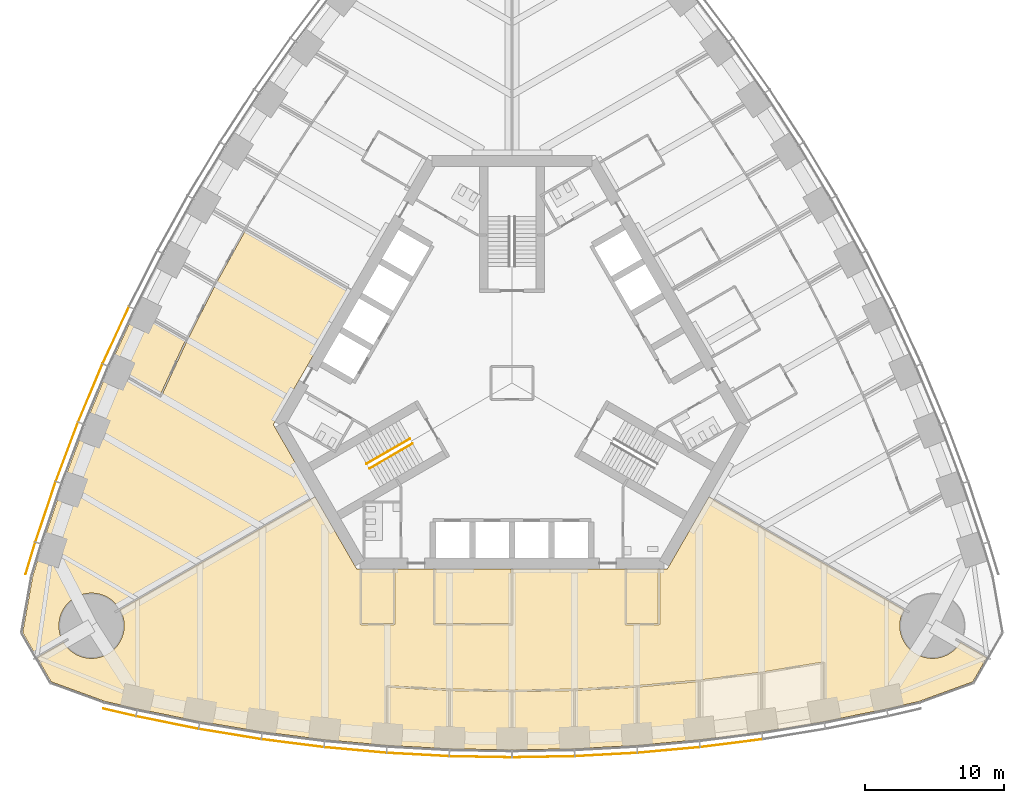
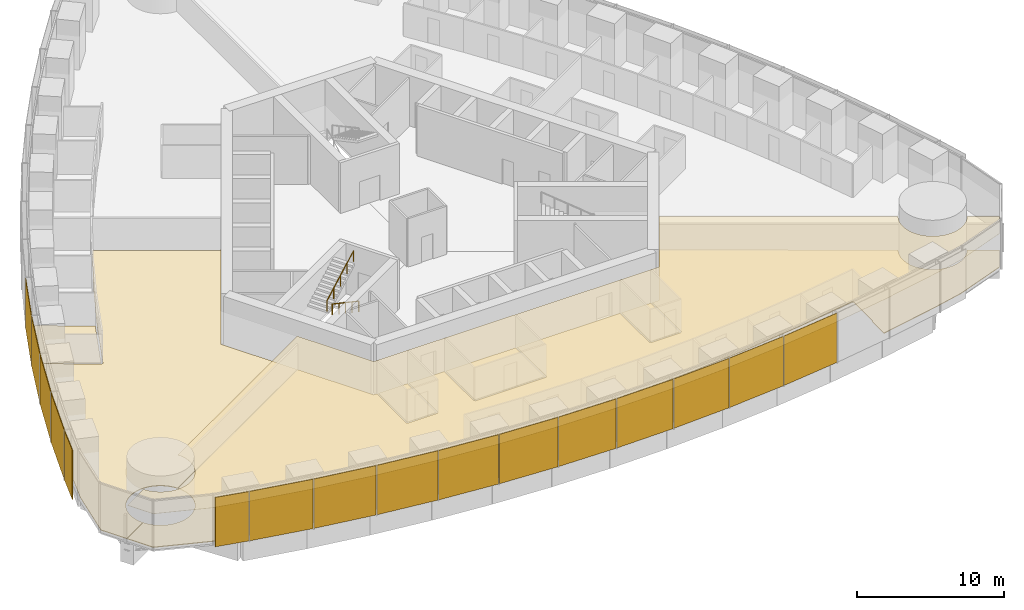
# One storey, part 15 of 19: 16 shading devices, 12 coverings, 2 railings.
"""IFC4 building model written with IfcOpenShell, lengths in metres."""

from ifc_helpers import new_model, si_unit, direction, frame, origin, origin_2d, place, context, subcontext, project, spatial, polyline, rectangle, circle, outline, extrude, material, layer, layer_set, type_object, element, save


model = new_model("IFC4")

# Units and contexts
model_context = context("Model", 3, precision=1e-05, world=origin(), true_north=direction((0.0, 1.0)))
body_context = subcontext(model_context, "Body", "Model", "MODEL_VIEW")
ifc_project = project(units=[si_unit("LENGTHUNIT", "METRE"), si_unit("AREAUNIT", "SQUARE_METRE"), si_unit("VOLUMEUNIT", "CUBIC_METRE"), si_unit("PLANEANGLEUNIT", "RADIAN"), si_unit("MASSUNIT", "GRAM", prefix="KILO")], contexts=[model_context])

# Site, building, storey
site_placement = place(None, origin())
site = spatial("IfcSite", under=ifc_project, at=site_placement, CompositionType="ELEMENT")
building_placement = place(site_placement, origin())
building = spatial("IfcBuilding", under=site, at=building_placement, Name="Trefoil Bronze Tower", CompositionType="ELEMENT")
storey_placement = place(building_placement, frame((0.0, 0.0, 107.300048828125)))
storey = spatial("IfcBuildingStorey", under=building, at=storey_placement, Name="L24", CompositionType="ELEMENT", Elevation=107.300048828125)

# Shading devices
ifc_material_1 = material(Name="Perforated bronze sheet", Category="bronze")
ifc_layer_1 = layer(ifc_material_1, 0.0400390625)
ifc_layer_set_1 = layer_set([ifc_layer_1], Name="Bronze solar screen panel")
shading_device_type = type_object("IfcShadingDeviceType", Name="Bronze solar screen panel", PredefinedType="SHUTTER", material=ifc_layer_set_1)
shading_device_1_placement = place(storey_placement, frame((-28.30078125, -23.748779296875, 0.0498046875), z_axis=(0.0, 0.0, 1.0), x_axis=(0.97420444715, -0.225667222151, 0.0)))
element("IfcShadingDevice", 1, at=shading_device_1_placement, inside=storey, type_object=shading_device_type, Name="Solar screen CW-A L24 F1 bay 1", PredefinedType="SHUTTER", context=body_context, shape_type="SweptSolid", body=[
    extrude(rectangle(XDim=2.39013671875, YDim=0.0400390625, at=origin_2d()), origin(), (0.0, 0.0, 1.0), 4.10009765625),
])
shading_device_2_placement = place(storey_placement, frame((-24.85693359375, -24.480224609375, 0.0498046875), z_axis=(0.0, 0.0, 1.0), x_axis=(0.980155155547, -0.198231861853, 0.0)))
element("IfcShadingDevice", 2, at=shading_device_2_placement, inside=storey, type_object=shading_device_type, Name="Solar screen CW-A L24 F1 bay 2", PredefinedType="SHUTTER", context=body_context, shape_type="SweptSolid", body=[
    extrude(rectangle(XDim=4.56103515625, YDim=0.0400390625, at=origin_2d()), origin(), (0.0, 0.0, 1.0), 4.10009765625),
])
shading_device_3_placement = place(storey_placement, frame((-20.337646484375, -25.30859375, 0.0498046875), z_axis=(0.0, 0.0, 1.0), x_axis=(0.986759655731, -0.162189339418, 0.0)))
element("IfcShadingDevice", 3, at=shading_device_3_placement, inside=storey, type_object=shading_device_type, Name="Solar screen CW-A L24 F1 bay 3", PredefinedType="SHUTTER", context=body_context, shape_type="SweptSolid", body=[
    extrude(rectangle(XDim=4.5302734375, YDim=0.0400390625, at=origin_2d()), origin(), (0.0, 0.0, 1.0), 4.10009765625),
])
shading_device_4_placement = place(storey_placement, frame((-15.818115234375, -25.96728515625, 0.0498046875), z_axis=(0.0, 0.0, 1.0), x_axis=(0.992011554286, -0.126147041833, 0.0)))
element("IfcShadingDevice", 4, at=shading_device_4_placement, inside=storey, type_object=shading_device_type, Name="Solar screen CW-A L24 F1 bay 4", PredefinedType="SHUTTER", context=body_context, shape_type="SweptSolid", body=[
    extrude(rectangle(XDim=4.50634765625, YDim=0.0400390625, at=origin_2d()), origin(), (0.0, 0.0, 1.0), 4.10009765625),
])
shading_device_5_placement = place(storey_placement, frame((-11.298583984375, -26.459228515625, 0.0498046875), z_axis=(0.0, 0.0, 1.0), x_axis=(0.995932279146, -0.090104913044, 0.0)))
element("IfcShadingDevice", 5, at=shading_device_5_placement, inside=storey, type_object=shading_device_type, Name="Solar screen CW-A L24 F1 bay 5", PredefinedType="SHUTTER", context=body_context, shape_type="SweptSolid", body=[
    extrude(rectangle(XDim=4.48828125, YDim=0.0400390625, at=origin_2d()), origin(), (0.0, 0.0, 1.0), 4.10009765625),
])
shading_device_6_placement = place(storey_placement, frame((-6.779296875, -26.785888671875, 0.0498046875), z_axis=(0.0, 0.0, 1.0), x_axis=(0.998537531923, -0.054062901701, 0.0)))
element("IfcShadingDevice", 6, at=shading_device_6_placement, inside=storey, type_object=shading_device_type, Name="Solar screen CW-A L24 F1 bay 6", PredefinedType="SHUTTER", context=body_context, shape_type="SweptSolid", body=[
    extrude(rectangle(XDim=4.4765625, YDim=0.0400390625, at=origin_2d()), origin(), (0.0, 0.0, 1.0), 4.10009765625),
])
for number, where, z_axis, x_axis, name in (
    (7, (-2.259765625, -26.948974609375, 0.0498046875), (0.0, 0.0, 1.0), (0.999837609322, -0.018020959612, 0.0), "Solar screen CW-A L24 F1 bay 7"),
    (8, (2.259765625, -26.948974609375, 0.0498046875), (0.0, 0.0, 1.0), (0.999837609322, 0.018020959612, 0.0), "Solar screen CW-A L24 F1 bay 8"),
):
    element("IfcShadingDevice", number, at=place(storey_placement, frame(where, z_axis=z_axis, x_axis=x_axis)), inside=storey, type_object=shading_device_type, Name=name, PredefinedType="SHUTTER", context=body_context, shape_type="SweptSolid", body=[
        extrude(rectangle(XDim=4.470703125, YDim=0.0400390625, at=origin_2d()), origin(), (0.0, 0.0, 1.0), 4.10009765625),
    ])
shading_device_7_placement = place(storey_placement, frame((6.779296875, -26.785888671875, 0.0498046875), z_axis=(0.0, 0.0, 1.0), x_axis=(0.998537531923, 0.054062901701, 0.0)))
element("IfcShadingDevice", 9, at=shading_device_7_placement, inside=storey, type_object=shading_device_type, Name="Solar screen CW-A L24 F1 bay 9", PredefinedType="SHUTTER", context=body_context, shape_type="SweptSolid", body=[
    extrude(rectangle(XDim=4.4765625, YDim=0.0400390625, at=origin_2d()), origin(), (0.0, 0.0, 1.0), 4.10009765625),
])
shading_device_8_placement = place(storey_placement, frame((11.298583984375, -26.459228515625, 0.0498046875), z_axis=(0.0, 0.0, 1.0), x_axis=(0.995932279146, 0.090104913044, 0.0)))
element("IfcShadingDevice", 10, at=shading_device_8_placement, inside=storey, type_object=shading_device_type, Name="Solar screen CW-A L24 F1 bay 10", PredefinedType="SHUTTER", context=body_context, shape_type="SweptSolid", body=[
    extrude(rectangle(XDim=4.48828125, YDim=0.0400390625, at=origin_2d()), origin(), (0.0, 0.0, 1.0), 4.10009765625),
])
shading_device_9_placement = place(storey_placement, frame((15.818115234375, -25.96728515625, 0.0498046875), z_axis=(0.0, 0.0, 1.0), x_axis=(0.992011554286, 0.126147041833, 0.0)))
element("IfcShadingDevice", 11, at=shading_device_9_placement, inside=storey, type_object=shading_device_type, Name="Solar screen CW-A L24 F1 bay 11", PredefinedType="SHUTTER", context=body_context, shape_type="SweptSolid", body=[
    extrude(rectangle(XDim=4.50634765625, YDim=0.0400390625, at=origin_2d()), origin(), (0.0, 0.0, 1.0), 4.10009765625),
])
shading_device_10_placement = place(storey_placement, frame((-28.563720703125, 3.444580078125, 0.0498046875), z_axis=(0.0, 0.0, 1.0), x_axis=(-0.419932995871, -0.907555110712, 0.0)))
element("IfcShadingDevice", 12, at=shading_device_10_placement, inside=storey, type_object=shading_device_type, Name="Solar screen CW-A L24 F3 bay 10", PredefinedType="SHUTTER", context=body_context, shape_type="SweptSolid", body=[
    extrude(rectangle(XDim=4.48828125, YDim=0.0400390625, at=origin_2d()), origin(), (0.0, 0.0, 1.0), 4.10009765625),
])
shading_device_11_placement = place(storey_placement, frame((-30.3974609375, -0.715087890625, 0.0498046875), z_axis=(0.0, 0.0, 1.0), x_axis=(-0.386759234303, -0.922180727776, 0.0)))
element("IfcShadingDevice", 13, at=shading_device_11_placement, inside=storey, type_object=shading_device_type, Name="Solar screen CW-A L24 F3 bay 11", PredefinedType="SHUTTER", context=body_context, shape_type="SweptSolid", body=[
    extrude(rectangle(XDim=4.50634765625, YDim=0.0400390625, at=origin_2d()), origin(), (0.0, 0.0, 1.0), 4.10009765625),
])
shading_device_12_placement = place(storey_placement, frame((-32.086669921875, -4.95849609375, 0.0498046875), z_axis=(0.0, 0.0, 1.0), x_axis=(-0.352919739707, -0.935653599002, 0.0)))
element("IfcShadingDevice", 14, at=shading_device_12_placement, inside=storey, type_object=shading_device_type, Name="Solar screen CW-A L24 F3 bay 12", PredefinedType="SHUTTER", context=body_context, shape_type="SweptSolid", body=[
    extrude(rectangle(XDim=4.5302734375, YDim=0.0400390625, at=origin_2d()), origin(), (0.0, 0.0, 1.0), 4.10009765625),
])
shading_device_13_placement = place(storey_placement, frame((-33.62890625, -9.286865234375, 0.0498046875), z_axis=(0.0, 0.0, 1.0), x_axis=(-0.318403749569, -0.947955195281, 0.0)))
element("IfcShadingDevice", 15, at=shading_device_13_placement, inside=storey, type_object=shading_device_type, Name="Solar screen CW-A L24 F3 bay 13", PredefinedType="SHUTTER", context=body_context, shape_type="SweptSolid", body=[
    extrude(rectangle(XDim=4.56103515625, YDim=0.0400390625, at=origin_2d()), origin(), (0.0, 0.0, 1.0), 4.10009765625),
])
shading_device_14_placement = place(storey_placement, frame((-34.717529296875, -12.634765625, 0.0498046875), z_axis=(0.0, 0.0, 1.0), x_axis=(-0.291668676391, -0.956519410787, 0.0)))
element("IfcShadingDevice", 16, at=shading_device_14_placement, inside=storey, type_object=shading_device_type, Name="Solar screen CW-A L24 F3 bay 14", PredefinedType="SHUTTER", context=body_context, shape_type="SweptSolid", body=[
    extrude(rectangle(XDim=2.39013671875, YDim=0.0400390625, at=origin_2d()), origin(), (0.0, 0.0, 1.0), 4.10009765625),
])

# Railings
ifc_material_2 = material(Name="Steel handrail", Category="steel")
railing_type = type_object("IfcRailingType", Name="Handrail 900", PredefinedType="HANDRAIL", material=ifc_material_2)
railing_1_placement = place(storey_placement, frame((-7.166015625, -4.3681640625, 0.161376953125)))
element("IfcRailing", 17, at=railing_1_placement, inside=storey, type_object=railing_type, Name="Handrail ST3 flight 1 L24", PredefinedType="HANDRAIL", context=body_context, shape_type="SweptSolid", body=[
    extrude(circle(Radius=0.02392578125, at=origin_2d()), frame((0.0, 0.0, 0.8759765625), z_axis=(-0.76250339821, -0.440245697338, 0.474101564745), x_axis=(0.500012057535, -0.866018442252, 0.0)), (0.0, 0.0, 1.0), 4.088623046875),
    extrude(circle(Radius=0.02099609375, at=origin_2d()), origin(), (0.0, 0.0, 1.0), 0.851806640625),
    extrude(circle(Radius=0.02099609375, at=origin_2d()), frame((-0.779296875, -0.449951171875, 0.484619140625)), (0.0, 0.0, 1.0), 0.851806640625),
    extrude(circle(Radius=0.02099609375, at=origin_2d()), frame((-1.558837890625, -0.89990234375, 0.96923828125)), (0.0, 0.0, 1.0), 0.851806640625),
    extrude(circle(Radius=0.02099609375, at=origin_2d()), frame((-2.33837890625, -1.35009765625, 1.453857421875)), (0.0, 0.0, 1.0), 0.851806640625),
    extrude(circle(Radius=0.02099609375, at=origin_2d()), frame((-3.11767578125, -1.800048828125, 1.9384765625)), (0.0, 0.0, 1.0), 0.851806640625),
])
railing_2_placement = place(storey_placement, frame((-10.483642578125, -5.82177734375, 2.261474609375)))
element("IfcRailing", 18, at=railing_2_placement, inside=storey, type_object=railing_type, Name="Handrail ST3 flight 2 L24", PredefinedType="HANDRAIL", context=body_context, shape_type="SweptSolid", body=[
    extrude(circle(Radius=0.02392578125, at=origin_2d()), frame((0.0, 0.0, 0.8759765625), z_axis=(0.76250339821, 0.440245697338, 0.474101564745), x_axis=(-0.500012057535, 0.866018442252, 0.0)), (0.0, 0.0, 1.0), 4.088623046875),
    extrude(circle(Radius=0.02099609375, at=origin_2d()), origin(), (0.0, 0.0, 1.0), 0.851806640625),
    extrude(circle(Radius=0.02099609375, at=origin_2d()), frame((0.779296875, 0.449951171875, 0.484619140625)), (0.0, 0.0, 1.0), 0.851806640625),
    extrude(circle(Radius=0.02099609375, at=origin_2d()), frame((1.558837890625, 0.89990234375, 0.96923828125)), (0.0, 0.0, 1.0), 0.851806640625),
    extrude(circle(Radius=0.02099609375, at=origin_2d()), frame((2.33837890625, 1.35009765625, 1.453857421875)), (0.0, 0.0, 1.0), 0.851806640625),
    extrude(circle(Radius=0.02099609375, at=origin_2d()), frame((3.11767578125, 1.800048828125, 1.9384765625)), (0.0, 0.0, 1.0), 0.851806640625),
])

# Coverings
ifc_material_3 = material(Name="Acoustic ceiling panels", Category="mineral fibre")
ifc_layer_2 = layer(ifc_material_3, 0.02001953125)
ifc_layer_set_2 = layer_set([ifc_layer_2], Name="Office ceiling 20")
covering_type_1 = type_object("IfcCoveringType", Name="Office ceiling 20", PredefinedType="CEILING", material=ifc_layer_set_2)
covering_1_placement = place(storey_placement, frame((0.0, 0.0, 2.89990234375)))
element("IfcCovering", 19, at=covering_1_placement, inside=storey, type_object=covering_type_1, Name="Ceiling L24 Open support area F1", PredefinedType="CEILING", context=body_context, shape_type="SweptSolid", body=[
    extrude(outline(polyline([(-32.264892578125, -18.8056640625), (-32.198486328125, -18.89990234375), (-32.12744140625, -18.99072265625), (-32.052001953125, -19.078125), (-31.97265625, -19.16162109375), (-31.88916015625, -19.2412109375), (-31.8017578125, -19.316650390625), (-31.710693359375, -19.387451171875), (-31.616455078125, -19.4541015625), (-31.51904296875, -19.515625), (-31.418701171875, -19.572509765625), (-31.315673828125, -19.62451171875), (-31.210205078125, -19.671142578125), (-31.1025390625, -19.712646484375), (-30.9931640625, -19.748779296875), (-30.8818359375, -19.779541015625), (-30.769287109375, -19.8046875), (-30.65576171875, -19.82470703125), (-30.541259765625, -19.838623046875), (-30.42626953125, -19.84716796875), (-30.310791015625, -19.85009765625), (-30.195556640625, -19.84716796875), (-30.08056640625, -19.838623046875), (-29.966064453125, -19.82470703125), (-29.852294921875, -19.8046875), (-29.739990234375, -19.779541015625), (-29.628662109375, -19.748779296875), (-29.519287109375, -19.712646484375), (-29.41162109375, -19.671142578125), (-29.30615234375, -19.62451171875), (-29.203125, -19.572509765625), (-29.102783203125, -19.515625), (-29.00537109375, -19.4541015625), (-28.910888671875, -19.387451171875), (-28.820068359375, -19.316650390625), (-28.732666015625, -19.2412109375), (-28.649169921875, -19.16162109375), (-28.569580078125, -19.078125), (-28.494384765625, -18.99072265625), (-28.42333984375, -18.89990234375), (-28.35693359375, -18.8056640625), (-28.295166015625, -18.7080078125), (-28.23828125, -18.60791015625), (-28.1865234375, -18.5048828125), (-28.139892578125, -18.3994140625), (-28.098388671875, -18.291748046875), (-28.06201171875, -18.18212890625), (-28.03125, -18.071044921875), (-28.006103515625, -17.95849609375), (-27.986328125, -17.8447265625), (-27.97216796875, -17.730224609375), (-27.963623046875, -17.615234375), (-27.9609375, -17.5), (-27.963623046875, -17.384765625), (-27.97216796875, -17.269775390625), (-27.986328125, -17.1552734375), (-28.006103515625, -17.04150390625), (-28.03125, -16.928955078125), (-28.06201171875, -16.81787109375), (-28.098388671875, -16.708251953125), (-28.139892578125, -16.6005859375), (-28.1865234375, -16.4951171875), (-28.23828125, -16.39208984375), (-28.270263671875, -16.3359375), (-14.19970703125, -8.205322265625), (-11.20068359375, -13.39990234375), (11.20068359375, -13.39990234375), (14.19970703125, -8.205322265625), (28.270263671875, -16.3359375), (28.23828125, -16.39208984375), (28.1865234375, -16.4951171875), (28.139892578125, -16.6005859375), (28.098388671875, -16.708251953125), (28.06201171875, -16.81787109375), (28.03125, -16.928955078125), (28.006103515625, -17.04150390625), (27.986328125, -17.1552734375), (27.97216796875, -17.269775390625), (27.963623046875, -17.384765625), (27.9609375, -17.5), (27.963623046875, -17.615234375), (27.97216796875, -17.730224609375), (27.986328125, -17.8447265625), (28.006103515625, -17.95849609375), (28.03125, -18.071044921875), (28.06201171875, -18.18212890625), (28.098388671875, -18.291748046875), (28.139892578125, -18.3994140625), (28.1865234375, -18.5048828125), (28.23828125, -18.60791015625), (28.295166015625, -18.7080078125), (28.35693359375, -18.8056640625), (28.42333984375, -18.89990234375), (28.494384765625, -18.99072265625), (28.569580078125, -19.078125), (28.649169921875, -19.16162109375), (28.732666015625, -19.2412109375), (28.820068359375, -19.316650390625), (28.910888671875, -19.387451171875), (29.00537109375, -19.4541015625), (29.102783203125, -19.515625), (29.203125, -19.572509765625), (29.30615234375, -19.62451171875), (29.41162109375, -19.671142578125), (29.519287109375, -19.712646484375), (29.628662109375, -19.748779296875), (29.739990234375, -19.779541015625), (29.852294921875, -19.8046875), (29.966064453125, -19.82470703125), (30.08056640625, -19.838623046875), (30.195556640625, -19.84716796875), (30.310791015625, -19.85009765625), (30.42626953125, -19.84716796875), (30.541259765625, -19.838623046875), (30.65576171875, -19.82470703125), (30.769287109375, -19.8046875), (30.8818359375, -19.779541015625), (30.9931640625, -19.748779296875), (31.1025390625, -19.712646484375), (31.210205078125, -19.671142578125), (31.315673828125, -19.62451171875), (31.418701171875, -19.572509765625), (31.51904296875, -19.515625), (31.616455078125, -19.4541015625), (31.710693359375, -19.387451171875), (31.8017578125, -19.316650390625), (31.88916015625, -19.2412109375), (31.97265625, -19.16162109375), (32.052001953125, -19.078125), (32.12744140625, -18.99072265625), (32.198486328125, -18.89990234375), (32.264892578125, -18.8056640625), (32.338623046875, -18.68701171875), (34.233154296875, -19.781494140625), (33.21435546875, -21.5458984375), (29.357666015625, -22.94970703125), (27.0, -23.495849609375), (22.5, -24.406005859375), (18.0, -25.1455078125), (13.5, -25.7177734375), (9.0, -26.125), (4.5, -26.36865234375), (0.0, -26.44970703125), (-4.5, -26.36865234375), (-9.0, -26.125), (-13.5, -25.7177734375), (-18.0, -25.1455078125), (-22.5, -24.406005859375), (-27.0, -23.495849609375), (-29.357666015625, -22.94970703125), (-33.21435546875, -21.5458984375), (-34.233154296875, -19.781494140625), (-32.338623046875, -18.68701171875), (-32.264892578125, -18.8056640625)])), origin(), (0.0, 0.0, 1.0), 0.02001953125),
])
ifc_material_4 = material(Name="Raised access floor panels", Category="steel")
ifc_layer_3 = layer(ifc_material_4, 0.050048828125)
ifc_layer_set_3 = layer_set([ifc_layer_3], Name="Raised access floor 150")
covering_type_2 = type_object("IfcCoveringType", Name="Raised access floor 150", PredefinedType="FLOORING", material=ifc_layer_set_3)
covering_2_placement = place(storey_placement, frame((0.0, 0.0, 0.099853515625)))
element("IfcCovering", 20, at=covering_2_placement, inside=storey, type_object=covering_type_2, Name="Raised floor L24 Meeting room F1", PredefinedType="FLOORING", context=body_context, shape_type="SweptSolid", body=[
    extrude(outline(polyline([(-0.06005859375, -13.39990234375), (-0.06005859375, -17.340087890625), (-5.5400390625, -17.340087890625), (-5.5400390625, -13.39990234375), (-0.06005859375, -13.39990234375)])), origin(), (0.0, 0.0, 1.0), 0.050048828125),
])
covering_3_placement = place(storey_placement, frame((0.0, 0.0, 0.099853515625)))
element("IfcCovering", 21, at=covering_3_placement, inside=storey, type_object=covering_type_2, Name="Raised floor L24 Project room F1", PredefinedType="FLOORING", context=body_context, shape_type="SweptSolid", body=[
    extrude(outline(polyline([(-8.56005859375, -13.39990234375), (-8.56005859375, -17.340087890625), (-10.840087890625, -17.340087890625), (-10.840087890625, -13.39990234375), (-8.56005859375, -13.39990234375)])), origin(), (0.0, 0.0, 1.0), 0.050048828125),
])
covering_4_placement = place(storey_placement, frame((0.0, 0.0, 0.099853515625)))
element("IfcCovering", 22, at=covering_4_placement, inside=storey, type_object=covering_type_2, Name="Raised floor L24 Print and store room F1", PredefinedType="FLOORING", context=body_context, shape_type="SweptSolid", body=[
    extrude(outline(polyline([(10.5400390625, -13.39990234375), (10.5400390625, -17.340087890625), (8.260009765625, -17.340087890625), (8.260009765625, -13.39990234375), (10.5400390625, -13.39990234375)])), origin(), (0.0, 0.0, 1.0), 0.050048828125),
])
covering_5_placement = place(storey_placement, frame((0.0, 0.0, 0.099853515625)))
element("IfcCovering", 23, at=covering_5_placement, inside=storey, type_object=covering_type_2, Name="Raised floor L24 Office F1", PredefinedType="FLOORING", context=body_context, shape_type="SweptSolid", body=[
    extrude(outline(polyline([(-4.5, -26.36865234375), (-9.0, -26.125), (-9.0, -24.49072265625), (-8.93994140625, -24.49072265625), (-8.93994140625, -21.938232421875), (-4.56005859375, -22.17529296875), (-4.56005859375, -24.737548828125), (-4.5, -24.737548828125), (-4.5, -26.36865234375)])), origin(), (0.0, 0.0, 1.0), 0.050048828125),
])
covering_6_placement = place(storey_placement, frame((0.0, 0.0, 0.099853515625)))
element("IfcCovering", 24, at=covering_6_placement, inside=storey, type_object=covering_type_2, Name="Raised floor L24 Office F1", PredefinedType="FLOORING", context=body_context, shape_type="SweptSolid", body=[
    extrude(outline(polyline([(0.0, -26.44970703125), (-4.5, -26.36865234375), (-4.5, -24.737548828125), (-4.43994140625, -24.737548828125), (-4.43994140625, -22.1796875), (-0.06005859375, -22.258544921875), (-0.06005859375, -24.819580078125), (0.0, -24.819580078125), (0.0, -26.44970703125)])), origin(), (0.0, 0.0, 1.0), 0.050048828125),
])
covering_7_placement = place(storey_placement, frame((0.0, 0.0, 0.099853515625)))
element("IfcCovering", 25, at=covering_7_placement, inside=storey, type_object=covering_type_2, Name="Raised floor L24 Office F1", PredefinedType="FLOORING", context=body_context, shape_type="SweptSolid", body=[
    extrude(outline(polyline([(4.5, -26.36865234375), (0.0, -26.44970703125), (0.0, -24.819580078125), (0.06005859375, -24.819580078125), (0.06005859375, -22.258544921875), (4.43994140625, -22.1796875), (4.43994140625, -24.737548828125), (4.5, -24.737548828125), (4.5, -26.36865234375)])), origin(), (0.0, 0.0, 1.0), 0.050048828125),
])
covering_8_placement = place(storey_placement, frame((0.0, 0.0, 0.099853515625)))
element("IfcCovering", 26, at=covering_8_placement, inside=storey, type_object=covering_type_2, Name="Raised floor L24 Office F1", PredefinedType="FLOORING", context=body_context, shape_type="SweptSolid", body=[
    extrude(outline(polyline([(9.0, -26.125), (4.5, -26.36865234375), (4.5, -24.737548828125), (4.56005859375, -24.737548828125), (4.56005859375, -22.17529296875), (8.93994140625, -21.938232421875), (8.93994140625, -24.49072265625), (9.0, -24.49072265625), (9.0, -26.125)])), origin(), (0.0, 0.0, 1.0), 0.050048828125),
])
covering_9_placement = place(storey_placement, frame((0.0, 0.0, 0.099853515625)))
element("IfcCovering", 27, at=covering_9_placement, inside=storey, type_object=covering_type_2, Name="Raised floor L24 Office F1", PredefinedType="FLOORING", context=body_context, shape_type="SweptSolid", body=[
    extrude(outline(polyline([(13.5, -25.7177734375), (9.0, -26.125), (9.0, -24.49072265625), (9.06005859375, -24.49072265625), (9.06005859375, -21.9296875), (13.43994140625, -21.533447265625), (13.43994140625, -24.078125), (13.5, -24.078125), (13.5, -25.7177734375)])), origin(), (0.0, 0.0, 1.0), 0.050048828125),
])
covering_10_placement = place(storey_placement, frame((0.0, 0.0, 0.099853515625)))
element("IfcCovering", 28, at=covering_10_placement, inside=storey, type_object=covering_type_2, Name="Raised floor L24 Open support area F1", PredefinedType="FLOORING", context=body_context, shape_type="SweptSolid", body=[
    extrude(outline(polyline([(-11.20068359375, -13.39990234375), (-10.9599609375, -13.39990234375), (-10.9599609375, -17.39990234375), (-10.89990234375, -17.39990234375), (-10.89990234375, -17.4599609375), (-8.5, -17.4599609375), (-8.5, -17.39990234375), (-8.43994140625, -17.39990234375), (-8.43994140625, -13.39990234375), (-5.659912109375, -13.39990234375), (-5.659912109375, -17.39990234375), (-5.60009765625, -17.39990234375), (-5.60009765625, -17.4599609375), (0.0, -17.4599609375), (0.0, -17.39990234375), (0.06005859375, -17.39990234375), (0.06005859375, -13.39990234375), (8.139892578125, -13.39990234375), (8.139892578125, -17.39990234375), (8.199951171875, -17.39990234375), (8.199951171875, -17.4599609375), (10.60009765625, -17.4599609375), (10.60009765625, -17.39990234375), (10.659912109375, -17.39990234375), (10.659912109375, -13.39990234375), (11.20068359375, -13.39990234375), (14.19970703125, -8.205322265625), (28.270263671875, -16.3359375), (28.23828125, -16.39208984375), (28.1865234375, -16.4951171875), (28.139892578125, -16.6005859375), (28.098388671875, -16.708251953125), (28.06201171875, -16.81787109375), (28.03125, -16.928955078125), (28.006103515625, -17.04150390625), (27.986328125, -17.1552734375), (27.97216796875, -17.269775390625), (27.963623046875, -17.384765625), (27.9609375, -17.5), (27.963623046875, -17.615234375), (27.97216796875, -17.730224609375), (27.986328125, -17.8447265625), (28.006103515625, -17.95849609375), (28.03125, -18.071044921875), (28.06201171875, -18.18212890625), (28.098388671875, -18.291748046875), (28.139892578125, -18.3994140625), (28.1865234375, -18.5048828125), (28.23828125, -18.60791015625), (28.295166015625, -18.7080078125), (28.35693359375, -18.8056640625), (28.42333984375, -18.89990234375), (28.494384765625, -18.99072265625), (28.569580078125, -19.078125), (28.649169921875, -19.16162109375), (28.732666015625, -19.2412109375), (28.820068359375, -19.316650390625), (28.910888671875, -19.387451171875), (29.00537109375, -19.4541015625), (29.102783203125, -19.515625), (29.203125, -19.572509765625), (29.30615234375, -19.62451171875), (29.41162109375, -19.671142578125), (29.519287109375, -19.712646484375), (29.628662109375, -19.748779296875), (29.739990234375, -19.779541015625), (29.852294921875, -19.8046875), (29.966064453125, -19.82470703125), (30.08056640625, -19.838623046875), (30.195556640625, -19.84716796875), (30.310791015625, -19.85009765625), (30.42626953125, -19.84716796875), (30.541259765625, -19.838623046875), (30.65576171875, -19.82470703125), (30.769287109375, -19.8046875), (30.8818359375, -19.779541015625), (30.9931640625, -19.748779296875), (31.1025390625, -19.712646484375), (31.210205078125, -19.671142578125), (31.315673828125, -19.62451171875), (31.418701171875, -19.572509765625), (31.51904296875, -19.515625), (31.616455078125, -19.4541015625), (31.710693359375, -19.387451171875), (31.8017578125, -19.316650390625), (31.88916015625, -19.2412109375), (31.97265625, -19.16162109375), (32.052001953125, -19.078125), (32.12744140625, -18.99072265625), (32.198486328125, -18.89990234375), (32.264892578125, -18.8056640625), (32.338623046875, -18.68701171875), (34.233154296875, -19.781494140625), (33.21435546875, -21.5458984375), (29.357666015625, -22.94970703125), (27.0, -23.495849609375), (22.5, -24.406005859375), (22.5, -22.748779296875), (22.56005859375, -22.748779296875), (22.56005859375, -20.156005859375), (22.5, -20.156005859375), (22.490234375, -20.0966796875), (17.9912109375, -20.836181640625), (13.493408203125, -21.408203125), (8.99560546875, -21.815185546875), (4.497802734375, -22.05859375), (0.0, -22.1396484375), (-4.497802734375, -22.05859375), (-8.996826171875, -21.81494140625), (-9.0, -21.875), (-9.06005859375, -21.875), (-9.06005859375, -24.49072265625), (-9.0, -24.49072265625), (-9.0, -26.125), (-13.5, -25.7177734375), (-18.0, -25.1455078125), (-22.5, -24.406005859375), (-27.0, -23.495849609375), (-29.357666015625, -22.94970703125), (-33.21435546875, -21.5458984375), (-34.233154296875, -19.781494140625), (-32.338623046875, -18.68701171875), (-32.264892578125, -18.8056640625), (-32.198486328125, -18.89990234375), (-32.12744140625, -18.99072265625), (-32.052001953125, -19.078125), (-31.97265625, -19.16162109375), (-31.88916015625, -19.2412109375), (-31.8017578125, -19.316650390625), (-31.710693359375, -19.387451171875), (-31.616455078125, -19.4541015625), (-31.51904296875, -19.515625), (-31.418701171875, -19.572509765625), (-31.315673828125, -19.62451171875), (-31.210205078125, -19.671142578125), (-31.1025390625, -19.712646484375), (-30.9931640625, -19.748779296875), (-30.8818359375, -19.779541015625), (-30.769287109375, -19.8046875), (-30.65576171875, -19.82470703125), (-30.541259765625, -19.838623046875), (-30.42626953125, -19.84716796875), (-30.310791015625, -19.85009765625), (-30.195556640625, -19.84716796875), (-30.08056640625, -19.838623046875), (-29.966064453125, -19.82470703125), (-29.852294921875, -19.8046875), (-29.739990234375, -19.779541015625), (-29.628662109375, -19.748779296875), (-29.519287109375, -19.712646484375), (-29.41162109375, -19.671142578125), (-29.30615234375, -19.62451171875), (-29.203125, -19.572509765625), (-29.102783203125, -19.515625), (-29.00537109375, -19.4541015625), (-28.910888671875, -19.387451171875), (-28.820068359375, -19.316650390625), (-28.732666015625, -19.2412109375), (-28.649169921875, -19.16162109375), (-28.569580078125, -19.078125), (-28.494384765625, -18.99072265625), (-28.42333984375, -18.89990234375), (-28.35693359375, -18.8056640625), (-28.295166015625, -18.7080078125), (-28.23828125, -18.60791015625), (-28.1865234375, -18.5048828125), (-28.139892578125, -18.3994140625), (-28.098388671875, -18.291748046875), (-28.06201171875, -18.18212890625), (-28.03125, -18.071044921875), (-28.006103515625, -17.95849609375), (-27.986328125, -17.8447265625), (-27.97216796875, -17.730224609375), (-27.963623046875, -17.615234375), (-27.9609375, -17.5), (-27.963623046875, -17.384765625), (-27.97216796875, -17.269775390625), (-27.986328125, -17.1552734375), (-28.006103515625, -17.04150390625), (-28.03125, -16.928955078125), (-28.06201171875, -16.81787109375), (-28.098388671875, -16.708251953125), (-28.139892578125, -16.6005859375), (-28.1865234375, -16.4951171875), (-28.23828125, -16.39208984375), (-28.270263671875, -16.3359375), (-14.19970703125, -8.205322265625), (-11.20068359375, -13.39990234375)])), origin(), (0.0, 0.0, 1.0), 0.050048828125),
])
covering_11_placement = place(storey_placement, frame((0.0, 0.0, 0.099853515625)))
element("IfcCovering", 29, at=covering_11_placement, inside=storey, type_object=covering_type_2, Name="Raised floor L24 Office F3", PredefinedType="FLOORING", context=body_context, shape_type="SweptSolid", body=[
    extrude(outline(polyline([(-29.022216796875, 1.16748046875), (-27.124755859375, 5.268310546875), (-25.709716796875, 4.451171875), (-25.739501953125, 4.399169921875), (-23.521728515625, 3.11865234375), (-25.368408203125, -0.87255859375), (-27.572509765625, 0.399658203125), (-27.602294921875, 0.347900390625), (-29.022216796875, 1.16748046875)])), origin(), (0.0, 0.0, 1.0), 0.050048828125),
])
covering_12_placement = place(storey_placement, frame((0.0, 0.0, 0.099853515625)))
element("IfcCovering", 30, at=covering_12_placement, inside=storey, type_object=covering_type_2, Name="Raised floor L24 Open support area F3", PredefinedType="FLOORING", context=body_context, shape_type="SweptSolid", body=[
    extrude(outline(polyline([(-34.5537109375, -13.94970703125), (-33.847900390625, -11.634765625), (-32.385986328125, -7.28271484375), (-30.776611328125, -3.015625), (-29.022216796875, 1.16748046875), (-27.602294921875, 0.347900390625), (-27.63232421875, 0.2958984375), (-25.37158203125, -1.009521484375), (-25.341796875, -0.95751953125), (-25.287109375, -0.982666015625), (-23.39013671875, 3.1171875), (-21.352294921875, 7.134033203125), (-19.209716796875, 11.004150390625), (-11.65087890625, 6.639892578125), (-11.614013671875, 6.7041015625), (-11.605224609375, 6.69921875), (-17.205078125, -3.0), (-14.205810546875, -8.194580078125), (-28.2822265625, -16.314697265625), (-28.295166015625, -16.2919921875), (-28.35693359375, -16.1943359375), (-28.42333984375, -16.10009765625), (-28.494384765625, -16.00927734375), (-28.569580078125, -15.921875), (-28.649169921875, -15.83837890625), (-28.732666015625, -15.7587890625), (-28.820068359375, -15.683349609375), (-28.910888671875, -15.612548828125), (-29.00537109375, -15.5458984375), (-29.102783203125, -15.484375), (-29.203125, -15.427490234375), (-29.30615234375, -15.37548828125), (-29.41162109375, -15.328857421875), (-29.519287109375, -15.287353515625), (-29.628662109375, -15.251220703125), (-29.739990234375, -15.220458984375), (-29.852294921875, -15.1953125), (-29.966064453125, -15.17529296875), (-30.08056640625, -15.161376953125), (-30.195556640625, -15.15283203125), (-30.310791015625, -15.14990234375), (-30.42626953125, -15.15283203125), (-30.541259765625, -15.161376953125), (-30.65576171875, -15.17529296875), (-30.769287109375, -15.1953125), (-30.8818359375, -15.220458984375), (-30.9931640625, -15.251220703125), (-31.1025390625, -15.287353515625), (-31.210205078125, -15.328857421875), (-31.315673828125, -15.37548828125), (-31.418701171875, -15.427490234375), (-31.51904296875, -15.484375), (-31.616455078125, -15.5458984375), (-31.710693359375, -15.612548828125), (-31.8017578125, -15.683349609375), (-31.88916015625, -15.7587890625), (-31.97265625, -15.83837890625), (-32.052001953125, -15.921875), (-32.12744140625, -16.00927734375), (-32.198486328125, -16.10009765625), (-32.264892578125, -16.1943359375), (-32.32666015625, -16.2919921875), (-32.38330078125, -16.39208984375), (-32.435302734375, -16.4951171875), (-32.48193359375, -16.6005859375), (-32.5234375, -16.708251953125), (-32.559814453125, -16.81787109375), (-32.590576171875, -16.928955078125), (-32.61572265625, -17.04150390625), (-32.635498046875, -17.1552734375), (-32.649658203125, -17.269775390625), (-32.658203125, -17.384765625), (-32.660888671875, -17.5), (-32.658203125, -17.615234375), (-32.649658203125, -17.730224609375), (-32.635498046875, -17.8447265625), (-32.61572265625, -17.95849609375), (-32.590576171875, -18.071044921875), (-32.559814453125, -18.18212890625), (-32.5234375, -18.291748046875), (-32.48193359375, -18.3994140625), (-32.435302734375, -18.5048828125), (-32.38330078125, -18.60791015625), (-32.352294921875, -18.66259765625), (-34.247802734375, -19.755859375), (-35.2666015625, -17.99169921875), (-34.5537109375, -13.94970703125)])), origin(), (0.0, 0.0, 1.0), 0.050048828125),
])

save(model, "model.ifc")
